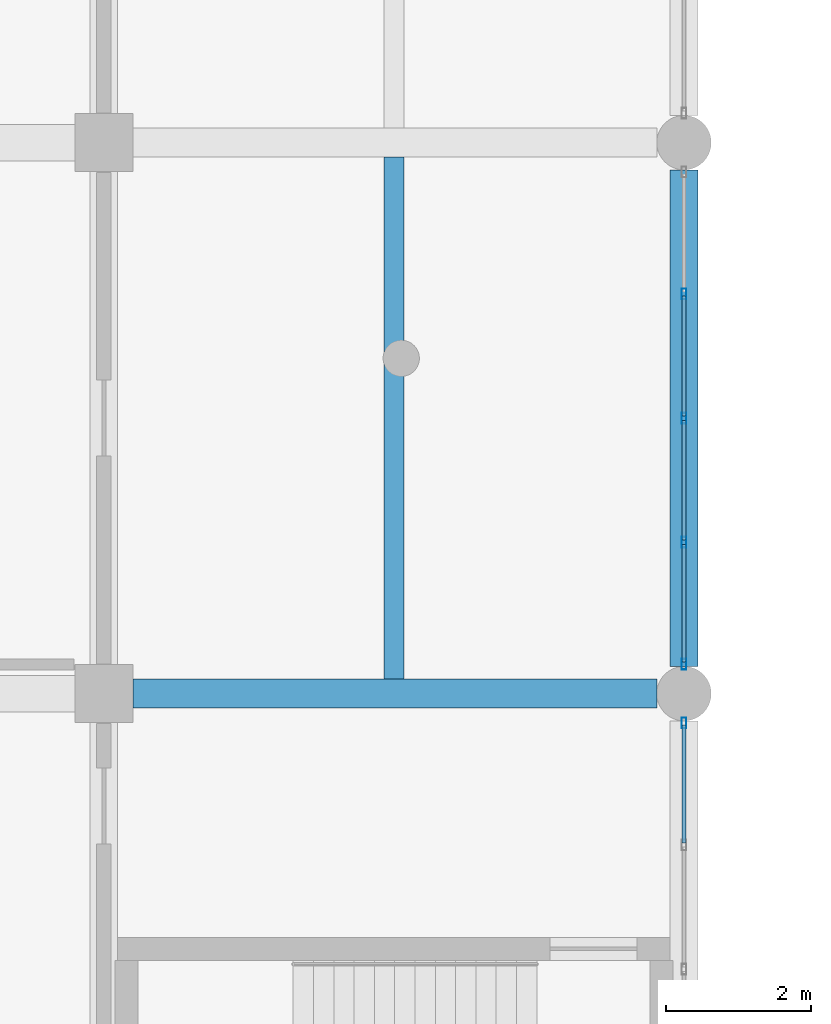
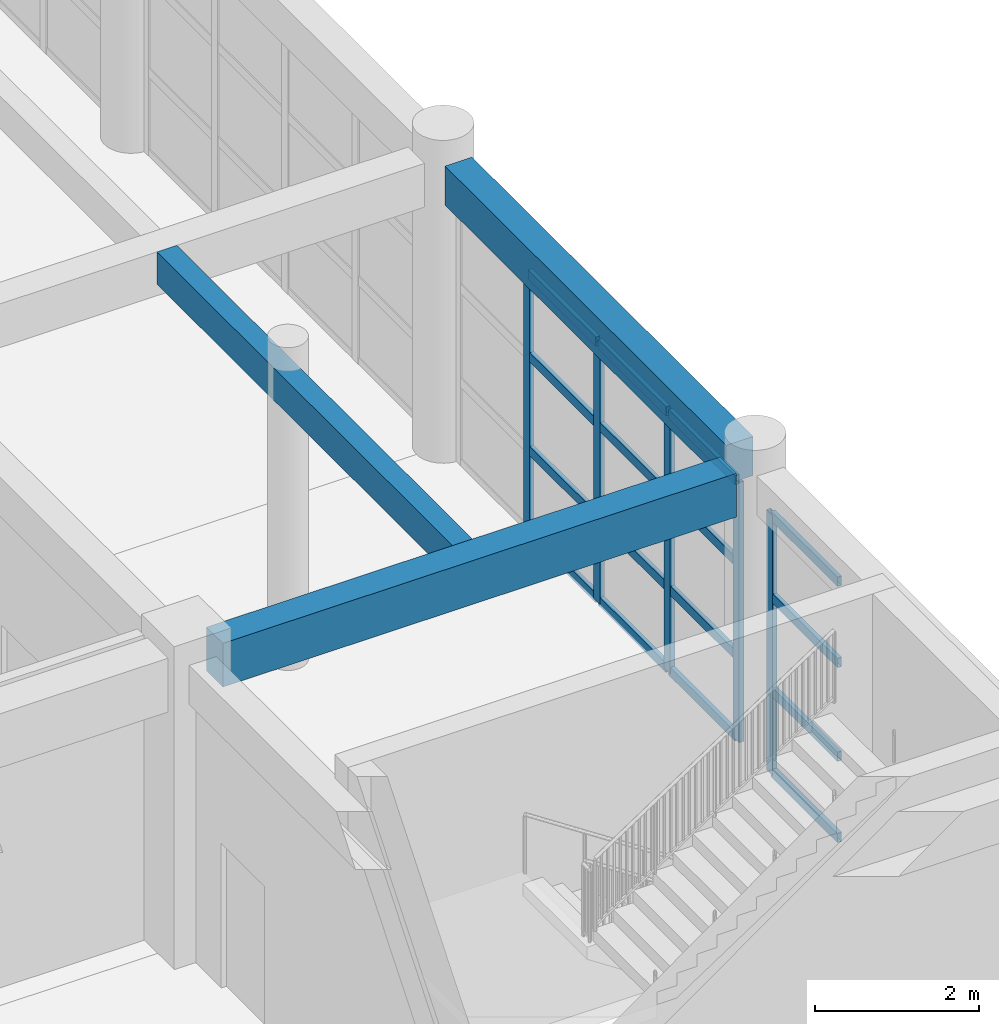
# One storey, part 28 of 101: 21 members, 3 beams, 2 elements without a shape of their own.
"""IFC4 building model written with IfcOpenShell, lengths in metres."""

from ifc_helpers import new_model, si_unit, direction, frame, origin, origin_2d, place, context, subcontext, project, spatial, rectangle, hollow_rectangle, extrude, material, material_profile, profile_set, type_object, element, aggregate, save


model = new_model("IFC4")

# Units and contexts
model_context = context("Model", 3, precision=1e-05, world=origin(), true_north=direction((0.0, 1.0)))
body_context = subcontext(model_context, "Body", "Model", "MODEL_VIEW")
ifc_project = project(units=[si_unit("LENGTHUNIT", "METRE"), si_unit("AREAUNIT", "SQUARE_METRE"), si_unit("VOLUMEUNIT", "CUBIC_METRE"), si_unit("PLANEANGLEUNIT", "RADIAN"), si_unit("MASSUNIT", "GRAM", prefix="KILO")], contexts=[model_context])

# Site, building, storey
site_placement = place(None, origin())
site = spatial("IfcSite", under=ifc_project, at=site_placement, CompositionType="ELEMENT")
building_placement = place(site_placement, origin())
building = spatial("IfcBuilding", under=site, at=building_placement, Name="Zantavel Square City Hall", CompositionType="ELEMENT")
storey_placement = place(building_placement, frame((0.0, 0.0, 5.39990234375)))
storey = spatial("IfcBuildingStorey", under=building, at=storey_placement, Name="L02", CompositionType="ELEMENT", Elevation=5.39990234375)

# Beam
ifc_material_1 = material(Name="Concrete C35/45", Category="concrete")
ifc_material_profile_1 = material_profile(ifc_material_1, rectangle(XDim=0.3798828125, YDim=0.580078125, at=origin_2d()), Name="RC 380x580")
ifc_profile_set_1 = profile_set([ifc_material_profile_1], Name="Concrete C35/45")
beam_type_1 = type_object("IfcBeamType", Name="Annex Secondary Beam RC 380x580 C35/45", PredefinedType="BEAM", material=ifc_profile_set_1)
beam_1_placement = place(storey_placement, frame((120.0, 45.97509765625, 4.16015625), z_axis=(0.0, 1.0, 0.0), x_axis=(-1.0, 0.0, 0.0)))
element("IfcBeam", 1, at=beam_1_placement, inside=storey, type_object=beam_type_1, Name="L02 Beam BMY-L02-1200-0456", PredefinedType="BEAM", context=body_context, shape_type="SweptSolid", body=[
    extrude(rectangle(XDim=0.3798828125, YDim=0.580078125, at=origin_2d()), origin(), (0.0, 0.0, 1.0), 6.849853515625),
])

# Curtain wall, members
ifc_material_2 = material(Name="Anodised aluminium 6063-T6", Category="aluminium")
curtain_wall_type = type_object("IfcCurtainWallType", Name="Curtain Wall CRT 6850x3870", PredefinedType="USERDEFINED", material=ifc_material_2)
curtain_wall_1_placement = place(storey_placement, origin())
curtain_wall_1 = element("IfcCurtainWall", 2, at=curtain_wall_1_placement, inside=storey, type_object=curtain_wall_type, Name="L02 Glazed Curtain Wall CW-L02-065", ObjectType="GLAZED CURTAIN WALL", PredefinedType="USERDEFINED")
ifc_material_profile_2 = material_profile(ifc_material_2, hollow_rectangle(XDim=0.06494140625, YDim=0.14990234375, WallThickness=0.00390625, at=origin_2d()), Name="ALU 65x150x4")
ifc_profile_set_2 = profile_set([ifc_material_profile_2], Name="Anodised aluminium 6063-T6")
member_type_1 = type_object("IfcMemberType", Name="CW Mullion ALU 65x150x4", PredefinedType="MULLION", material=ifc_profile_set_2)
member_1_placement = place(storey_placement, frame((120.0, 51.112548828125, 0.0), z_axis=(0.0, 0.0, 1.0), x_axis=(1.0, 0.0, 0.0)))
member_1 = element("IfcMember", 3, at=member_1_placement, type_object=member_type_1, Name="CW-065 mullion 2", PredefinedType="MULLION", context=body_context, shape_type="SweptSolid", body=[
    extrude(hollow_rectangle(XDim=0.06494140625, YDim=0.14990234375, WallThickness=0.00390625, at=origin_2d()), origin(), (0.0, 0.0, 1.0), 3.8701171875),
])
member_2_placement = place(storey_placement, frame((120.0, 49.39990234375, 0.0), z_axis=(0.0, 0.0, 1.0), x_axis=(1.0, 0.0, 0.0)))
member_2 = element("IfcMember", 4, at=member_2_placement, type_object=member_type_1, Name="CW-065 mullion 3", PredefinedType="MULLION", context=body_context, shape_type="SweptSolid", body=[
    extrude(hollow_rectangle(XDim=0.06494140625, YDim=0.14990234375, WallThickness=0.00390625, at=origin_2d()), origin(), (0.0, 0.0, 1.0), 3.8701171875),
])
member_3_placement = place(storey_placement, frame((120.0, 47.6875, 0.0), z_axis=(0.0, 0.0, 1.0), x_axis=(1.0, 0.0, 0.0)))
member_3 = element("IfcMember", 5, at=member_3_placement, type_object=member_type_1, Name="CW-065 mullion 4", PredefinedType="MULLION", context=body_context, shape_type="SweptSolid", body=[
    extrude(hollow_rectangle(XDim=0.06494140625, YDim=0.14990234375, WallThickness=0.00390625, at=origin_2d()), origin(), (0.0, 0.0, 1.0), 3.8701171875),
])
member_4_placement = place(storey_placement, frame((120.0, 46.0048828125, 0.0), z_axis=(0.0, 0.0, 1.0), x_axis=(1.0, 0.0, 0.0)))
member_4 = element("IfcMember", 6, at=member_4_placement, type_object=member_type_1, Name="CW-065 mullion 5", PredefinedType="MULLION", context=body_context, shape_type="SweptSolid", body=[
    extrude(hollow_rectangle(XDim=0.06494140625, YDim=0.14990234375, WallThickness=0.00390625, at=origin_2d()), origin(), (0.0, 0.0, 1.0), 3.8701171875),
])

# Curtain wall, member
curtain_wall_2_placement = place(storey_placement, origin())
curtain_wall_2 = element("IfcCurtainWall", 7, at=curtain_wall_2_placement, inside=storey, type_object=curtain_wall_type, Name="L02 Glazed Curtain Wall CW-L02-066", ObjectType="GLAZED CURTAIN WALL", PredefinedType="USERDEFINED")
member_5_placement = place(storey_placement, frame((120.0, 45.195068359375, 0.0), z_axis=(0.0, 0.0, 1.0), x_axis=(1.0, 0.0, 0.0)))
member_5 = element("IfcMember", 8, at=member_5_placement, type_object=member_type_1, Name="CW-066 mullion 1", PredefinedType="MULLION", context=body_context, shape_type="SweptSolid", body=[
    extrude(hollow_rectangle(XDim=0.06494140625, YDim=0.14990234375, WallThickness=0.00390625, at=origin_2d()), origin(), (0.0, 0.0, 1.0), 3.8701171875),
])

# Member
ifc_material_profile_3 = material_profile(ifc_material_2, hollow_rectangle(XDim=0.06005859375, YDim=0.139892578125, WallThickness=0.00390625, at=origin_2d()), Name="ALU 60x140x4")
ifc_profile_set_3 = profile_set([ifc_material_profile_3], Name="Anodised aluminium 6063-T6")
member_type_2 = type_object("IfcMemberType", Name="CW Transom ALU 60x140x4", PredefinedType="USERDEFINED", material=ifc_profile_set_3)
member_6_placement = place(storey_placement, frame((120.0, 51.08251953125, 0.030029296875), z_axis=(0.0, -1.0, 0.0), x_axis=(1.0, 0.0, 0.0)))
member_6 = element("IfcMember", 9, at=member_6_placement, type_object=member_type_2, Name="CW-065 transom 2.1", ObjectType="TRANSOM", PredefinedType="USERDEFINED", context=body_context, shape_type="SweptSolid", body=[
    extrude(hollow_rectangle(XDim=0.06005859375, YDim=0.139892578125, WallThickness=0.00390625, at=origin_2d()), origin(), (0.0, 0.0, 1.0), 1.652587890625),
])

member_7_placement = place(storey_placement, frame((120.0, 51.08251953125, 1.238037109375), z_axis=(0.0, -1.0, 0.0), x_axis=(1.0, 0.0, 0.0)))
member_7 = element("IfcMember", 10, at=member_7_placement, type_object=member_type_2, Name="CW-065 transom 2.2", ObjectType="TRANSOM", PredefinedType="USERDEFINED", context=body_context, shape_type="SweptSolid", body=[
    extrude(hollow_rectangle(XDim=0.06005859375, YDim=0.139892578125, WallThickness=0.00390625, at=origin_2d()), origin(), (0.0, 0.0, 1.0), 1.652587890625),
])

member_8_placement = place(storey_placement, frame((120.0, 51.08251953125, 2.632080078125), z_axis=(0.0, -1.0, 0.0), x_axis=(1.0, 0.0, 0.0)))
member_8 = element("IfcMember", 11, at=member_8_placement, type_object=member_type_2, Name="CW-065 transom 2.3", ObjectType="TRANSOM", PredefinedType="USERDEFINED", context=body_context, shape_type="SweptSolid", body=[
    extrude(hollow_rectangle(XDim=0.06005859375, YDim=0.139892578125, WallThickness=0.00390625, at=origin_2d()), origin(), (0.0, 0.0, 1.0), 1.652587890625),
])

member_9_placement = place(storey_placement, frame((120.0, 51.08251953125, 3.840087890625), z_axis=(0.0, -1.0, 0.0), x_axis=(1.0, 0.0, 0.0)))
member_9 = element("IfcMember", 12, at=member_9_placement, type_object=member_type_2, Name="CW-065 transom 2.4", ObjectType="TRANSOM", PredefinedType="USERDEFINED", context=body_context, shape_type="SweptSolid", body=[
    extrude(hollow_rectangle(XDim=0.06005859375, YDim=0.139892578125, WallThickness=0.00390625, at=origin_2d()), origin(), (0.0, 0.0, 1.0), 1.652587890625),
])

member_10_placement = place(storey_placement, frame((120.0, 49.3701171875, 0.030029296875), z_axis=(0.0, -1.0, 0.0), x_axis=(1.0, 0.0, 0.0)))
member_10 = element("IfcMember", 13, at=member_10_placement, type_object=member_type_2, Name="CW-065 transom 3.1", ObjectType="TRANSOM", PredefinedType="USERDEFINED", context=body_context, shape_type="SweptSolid", body=[
    extrude(hollow_rectangle(XDim=0.06005859375, YDim=0.139892578125, WallThickness=0.00390625, at=origin_2d()), origin(), (0.0, 0.0, 1.0), 1.652587890625),
])

member_11_placement = place(storey_placement, frame((120.0, 49.3701171875, 1.238037109375), z_axis=(0.0, -1.0, 0.0), x_axis=(1.0, 0.0, 0.0)))
member_11 = element("IfcMember", 14, at=member_11_placement, type_object=member_type_2, Name="CW-065 transom 3.2", ObjectType="TRANSOM", PredefinedType="USERDEFINED", context=body_context, shape_type="SweptSolid", body=[
    extrude(hollow_rectangle(XDim=0.06005859375, YDim=0.139892578125, WallThickness=0.00390625, at=origin_2d()), origin(), (0.0, 0.0, 1.0), 1.652587890625),
])

member_12_placement = place(storey_placement, frame((120.0, 49.3701171875, 2.632080078125), z_axis=(0.0, -1.0, 0.0), x_axis=(1.0, 0.0, 0.0)))
member_12 = element("IfcMember", 15, at=member_12_placement, type_object=member_type_2, Name="CW-065 transom 3.3", ObjectType="TRANSOM", PredefinedType="USERDEFINED", context=body_context, shape_type="SweptSolid", body=[
    extrude(hollow_rectangle(XDim=0.06005859375, YDim=0.139892578125, WallThickness=0.00390625, at=origin_2d()), origin(), (0.0, 0.0, 1.0), 1.652587890625),
])

member_13_placement = place(storey_placement, frame((120.0, 49.3701171875, 3.840087890625), z_axis=(0.0, -1.0, 0.0), x_axis=(1.0, 0.0, 0.0)))
member_13 = element("IfcMember", 16, at=member_13_placement, type_object=member_type_2, Name="CW-065 transom 3.4", ObjectType="TRANSOM", PredefinedType="USERDEFINED", context=body_context, shape_type="SweptSolid", body=[
    extrude(hollow_rectangle(XDim=0.06005859375, YDim=0.139892578125, WallThickness=0.00390625, at=origin_2d()), origin(), (0.0, 0.0, 1.0), 1.652587890625),
])

member_14_placement = place(storey_placement, frame((120.0, 47.657470703125, 0.030029296875), z_axis=(0.0, -1.0, 0.0), x_axis=(1.0, 0.0, 0.0)))
member_14 = element("IfcMember", 17, at=member_14_placement, type_object=member_type_2, Name="CW-065 transom 4.1", ObjectType="TRANSOM", PredefinedType="USERDEFINED", context=body_context, shape_type="SweptSolid", body=[
    extrude(hollow_rectangle(XDim=0.06005859375, YDim=0.139892578125, WallThickness=0.00390625, at=origin_2d()), origin(), (0.0, 0.0, 1.0), 1.62255859375),
])

member_15_placement = place(storey_placement, frame((120.0, 47.657470703125, 1.238037109375), z_axis=(0.0, -1.0, 0.0), x_axis=(1.0, 0.0, 0.0)))
member_15 = element("IfcMember", 18, at=member_15_placement, type_object=member_type_2, Name="CW-065 transom 4.2", ObjectType="TRANSOM", PredefinedType="USERDEFINED", context=body_context, shape_type="SweptSolid", body=[
    extrude(hollow_rectangle(XDim=0.06005859375, YDim=0.139892578125, WallThickness=0.00390625, at=origin_2d()), origin(), (0.0, 0.0, 1.0), 1.62255859375),
])

member_16_placement = place(storey_placement, frame((120.0, 47.657470703125, 2.632080078125), z_axis=(0.0, -1.0, 0.0), x_axis=(1.0, 0.0, 0.0)))
member_16 = element("IfcMember", 19, at=member_16_placement, type_object=member_type_2, Name="CW-065 transom 4.3", ObjectType="TRANSOM", PredefinedType="USERDEFINED", context=body_context, shape_type="SweptSolid", body=[
    extrude(hollow_rectangle(XDim=0.06005859375, YDim=0.139892578125, WallThickness=0.00390625, at=origin_2d()), origin(), (0.0, 0.0, 1.0), 1.62255859375),
])

member_17_placement = place(storey_placement, frame((120.0, 47.657470703125, 3.840087890625), z_axis=(0.0, -1.0, 0.0), x_axis=(1.0, 0.0, 0.0)))
member_17 = element("IfcMember", 20, at=member_17_placement, type_object=member_type_2, Name="CW-065 transom 4.4", ObjectType="TRANSOM", PredefinedType="USERDEFINED", context=body_context, shape_type="SweptSolid", body=[
    extrude(hollow_rectangle(XDim=0.06005859375, YDim=0.139892578125, WallThickness=0.00390625, at=origin_2d()), origin(), (0.0, 0.0, 1.0), 1.62255859375),
])

aggregate(curtain_wall_1, [member_1, member_2, member_3, member_4, member_6, member_7, member_8, member_9, member_10, member_11, member_12, member_13, member_14, member_15, member_16, member_17])

member_18_placement = place(storey_placement, frame((120.0, 45.1650390625, 0.030029296875), z_axis=(0.0, -1.0, 0.0), x_axis=(1.0, 0.0, 0.0)))
member_18 = element("IfcMember", 21, at=member_18_placement, type_object=member_type_2, Name="CW-066 transom 1.1", ObjectType="TRANSOM", PredefinedType="USERDEFINED", context=body_context, shape_type="SweptSolid", body=[
    extrude(hollow_rectangle(XDim=0.06005859375, YDim=0.139892578125, WallThickness=0.00390625, at=origin_2d()), origin(), (0.0, 0.0, 1.0), 1.62255859375),
])

member_19_placement = place(storey_placement, frame((120.0, 45.1650390625, 1.238037109375), z_axis=(0.0, -1.0, 0.0), x_axis=(1.0, 0.0, 0.0)))
member_19 = element("IfcMember", 22, at=member_19_placement, type_object=member_type_2, Name="CW-066 transom 1.2", ObjectType="TRANSOM", PredefinedType="USERDEFINED", context=body_context, shape_type="SweptSolid", body=[
    extrude(hollow_rectangle(XDim=0.06005859375, YDim=0.139892578125, WallThickness=0.00390625, at=origin_2d()), origin(), (0.0, 0.0, 1.0), 1.62255859375),
])

member_20_placement = place(storey_placement, frame((120.0, 45.1650390625, 2.632080078125), z_axis=(0.0, -1.0, 0.0), x_axis=(1.0, 0.0, 0.0)))
member_20 = element("IfcMember", 23, at=member_20_placement, type_object=member_type_2, Name="CW-066 transom 1.3", ObjectType="TRANSOM", PredefinedType="USERDEFINED", context=body_context, shape_type="SweptSolid", body=[
    extrude(hollow_rectangle(XDim=0.06005859375, YDim=0.139892578125, WallThickness=0.00390625, at=origin_2d()), origin(), (0.0, 0.0, 1.0), 1.62255859375),
])

member_21_placement = place(storey_placement, frame((120.0, 45.1650390625, 3.840087890625), z_axis=(0.0, -1.0, 0.0), x_axis=(1.0, 0.0, 0.0)))
member_21 = element("IfcMember", 24, at=member_21_placement, type_object=member_type_2, Name="CW-066 transom 1.4", ObjectType="TRANSOM", PredefinedType="USERDEFINED", context=body_context, shape_type="SweptSolid", body=[
    extrude(hollow_rectangle(XDim=0.06005859375, YDim=0.139892578125, WallThickness=0.00390625, at=origin_2d()), origin(), (0.0, 0.0, 1.0), 1.62255859375),
])

aggregate(curtain_wall_2, [member_5, member_18, member_19, member_20, member_21])

# Beams
ifc_material_profile_4 = material_profile(ifc_material_1, rectangle(XDim=0.39990234375, YDim=0.64990234375, at=origin_2d()), Name="RC 400x650")
ifc_profile_set_4 = profile_set([ifc_material_profile_4], Name="Concrete C35/45")
beam_type_2 = type_object("IfcBeamType", Name="Frame Beam RC 400x650 C35/45", PredefinedType="BEAM", material=ifc_profile_set_4)
beam_2_placement = place(storey_placement, frame((112.39990234375, 45.60009765625, 4.125), z_axis=(1.0, 0.0, 0.0), x_axis=(0.0, 1.0, 0.0)))
element("IfcBeam", 25, at=beam_2_placement, inside=storey, type_object=beam_type_2, Name="L02 Girder BMX-L02-1120-0456", PredefinedType="BEAM", context=body_context, shape_type="SweptSolid", body=[
    extrude(rectangle(XDim=0.39990234375, YDim=0.64990234375, at=origin_2d()), origin(), (0.0, 0.0, 1.0), 7.22509765625),
])
ifc_material_profile_5 = material_profile(ifc_material_1, rectangle(XDim=0.280029296875, YDim=0.47998046875, at=origin_2d()), Name="RC 280x480")
ifc_profile_set_5 = profile_set([ifc_material_profile_5], Name="Concrete C35/45")
beam_type_3 = type_object("IfcBeamType", Name="Terrace Deck Joist RC 280x480 C35/45", PredefinedType="JOIST", material=ifc_profile_set_5)
beam_3_placement = place(storey_placement, frame((116.0, 45.800048828125, 4.210205078125), z_axis=(0.0, 1.0, 0.0), x_axis=(-1.0, 0.0, 0.0)))
element("IfcBeam", 26, at=beam_3_placement, inside=storey, type_object=beam_type_3, Name="L02 Floor Joist JST-L02-1160-0456", PredefinedType="JOIST", context=body_context, shape_type="SweptSolid", body=[
    extrude(rectangle(XDim=0.280029296875, YDim=0.47998046875, at=origin_2d()), origin(), (0.0, 0.0, 1.0), 7.199951171875),
])

save(model, "model.ifc")
